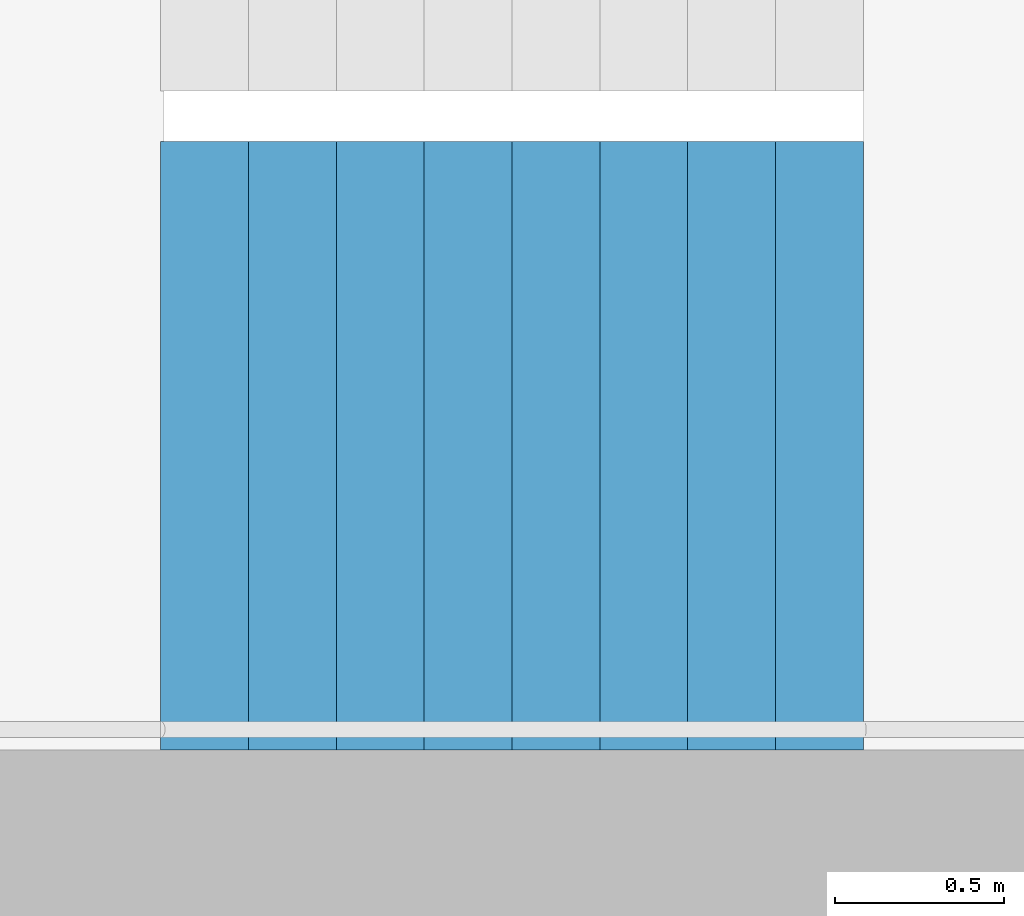
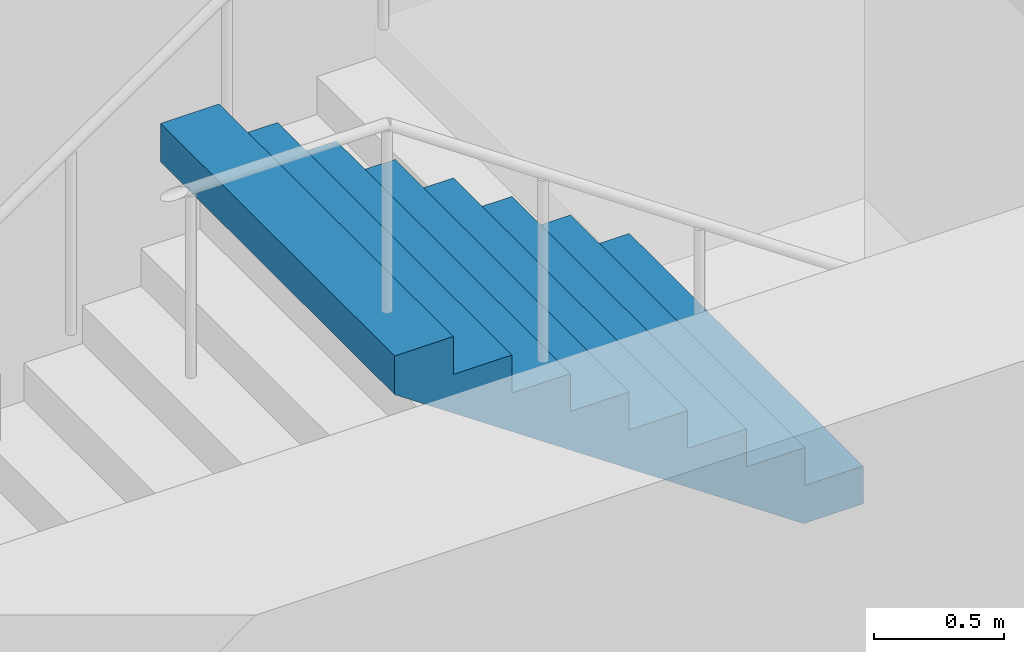
# One storey, part 21 of 29: 1 stair flight, 1 element without a shape of its own.
"""IFC4 building model written with IfcOpenShell, lengths in metres."""

from ifc_helpers import new_model, si_unit, direction, frame, origin, place, context, subcontext, project, spatial, triangles, material, type_object, element, aggregate, save


model = new_model("IFC4")

# Units and contexts
model_context = context("Model", 3, precision=1e-05, world=origin(), true_north=direction((0.0, 1.0)))
body_context = subcontext(model_context, "Body", "Model", "MODEL_VIEW")
ifc_project = project(units=[si_unit("LENGTHUNIT", "METRE"), si_unit("AREAUNIT", "SQUARE_METRE"), si_unit("VOLUMEUNIT", "CUBIC_METRE"), si_unit("PLANEANGLEUNIT", "RADIAN"), si_unit("MASSUNIT", "GRAM", prefix="KILO")], contexts=[model_context])

# Site, building, storey
site_placement = place(None, origin())
site = spatial("IfcSite", under=ifc_project, at=site_placement, CompositionType="ELEMENT")
building_placement = place(site_placement, origin())
building = spatial("IfcBuilding", under=site, at=building_placement, Name="Hakoniwa Tower and Hamabe Station Hall", CompositionType="ELEMENT")
storey_placement = place(building_placement, frame((0.0, 0.0, 258.199951171875)))
storey = spatial("IfcBuildingStorey", under=building, at=storey_placement, Name="L73", CompositionType="ELEMENT", Elevation=258.199951171875)

# Stair, stair flight
ifc_material_1 = material(Name="Concrete C40", Category="concrete")
stair_type = type_object("IfcStairType", Name="ESCAPE STAIR 1800", PredefinedType="HALF_TURN_STAIR", material=ifc_material_1)
stair_placement = place(storey_placement, origin())
stair = element("IfcStair", 1, at=stair_placement, inside=storey, type_object=stair_type, Name="Escape stair ST-4 L73", PredefinedType="HALF_TURN_STAIR")
ifc_material_2 = material(Name="Concrete C40", Category="concrete")
stair_flight_type = type_object("IfcStairFlightType", Name="STAIR FLIGHT 1800", PredefinedType="STRAIGHT", material=ifc_material_2)
stair_flight_placement = place(storey_placement, frame((25.47998046875, -6.60009765625, 1.60009765625), z_axis=(0.0, 0.0, 1.0), x_axis=(-1.0, 0.0, 0.0)))
stair_flight = element("IfcStairFlight", 2, at=stair_flight_placement, type_object=stair_flight_type, Name="ST-4 flight 2", NumberOfRisers=9, NumberOfTreads=8, PredefinedType="STRAIGHT", RiserHeight=0.177777778, TreadLength=0.26, context=body_context, shape_type="Tessellation", body=[
    triangles([(0.0, 0.89990234375, 0.0), (0.260009765625, 0.89990234375, 0.0), (0.265625, 0.89990234375, 0.0), (0.52001953125, 0.89990234375, 0.174072265625), (0.780029296875, 0.89990234375, 0.351806640625), (1.0400390625, 0.89990234375, 0.529541015625), (1.300048828125, 0.89990234375, 0.707275390625), (1.56005859375, 0.89990234375, 0.885009765625), (1.820068359375, 0.89990234375, 1.062744140625), (2.080078125, 0.89990234375, 1.24072265625), (2.080078125, 0.89990234375, 1.422119140625), (1.820068359375, 0.89990234375, 1.422119140625), (1.820068359375, 0.89990234375, 1.244384765625), (1.56005859375, 0.89990234375, 1.244384765625), (1.56005859375, 0.89990234375, 1.066650390625), (1.300048828125, 0.89990234375, 1.066650390625), (1.300048828125, 0.89990234375, 0.888916015625), (1.0400390625, 0.89990234375, 0.888916015625), (1.0400390625, 0.89990234375, 0.711181640625), (0.780029296875, 0.89990234375, 0.711181640625), (0.780029296875, 0.89990234375, 0.533447265625), (0.52001953125, 0.89990234375, 0.533447265625), (0.52001953125, 0.89990234375, 0.35546875), (0.265625, 0.89990234375, 0.35546875), (0.260009765625, 0.89990234375, 0.35546875), (0.260009765625, 0.89990234375, 0.177734375), (0.0, 0.89990234375, 0.177734375), (0.0, 0.06005859375, 0.0), (0.260009765625, 0.06005859375, 0.0), (0.265625, 0.06005859375, 0.0), (0.52001953125, 0.06005859375, 0.174072265625), (0.780029296875, 0.06005859375, 0.351806640625), (1.0400390625, 0.06005859375, 0.529541015625), (1.300048828125, 0.06005859375, 0.707275390625), (1.56005859375, 0.06005859375, 0.885009765625), (1.820068359375, 0.06005859375, 1.062744140625), (2.080078125, 0.06005859375, 1.24072265625), (2.080078125, 0.06005859375, 1.422119140625), (1.820068359375, 0.06005859375, 1.422119140625), (1.820068359375, 0.06005859375, 1.244384765625), (1.56005859375, 0.06005859375, 1.244384765625), (1.56005859375, 0.06005859375, 1.066650390625), (1.300048828125, 0.06005859375, 1.066650390625), (1.300048828125, 0.06005859375, 0.888916015625), (1.0400390625, 0.06005859375, 0.888916015625), (1.0400390625, 0.06005859375, 0.711181640625), (0.780029296875, 0.06005859375, 0.711181640625), (0.780029296875, 0.06005859375, 0.533447265625), (0.52001953125, 0.06005859375, 0.533447265625), (0.52001953125, 0.06005859375, 0.35546875), (0.265625, 0.06005859375, 0.35546875), (0.260009765625, 0.06005859375, 0.35546875), (0.260009765625, 0.06005859375, 0.177734375), (0.0, 0.06005859375, 0.177734375), (0.0, 0.04296875, 0.0), (0.260009765625, 0.04296875, 0.0), (0.265625, 0.04296875, 0.0), (0.52001953125, 0.04296875, 0.174072265625), (0.780029296875, 0.04296875, 0.351806640625), (1.0400390625, 0.04296875, 0.529541015625), (1.300048828125, 0.04296875, 0.707275390625), (1.56005859375, 0.04296875, 0.885009765625), (1.820068359375, 0.04296875, 1.062744140625), (2.080078125, 0.04296875, 1.24072265625), (2.080078125, 0.04296875, 1.422119140625), (1.820068359375, 0.04296875, 1.422119140625), (1.820068359375, 0.04296875, 1.244384765625), (1.56005859375, 0.04296875, 1.244384765625), (1.56005859375, 0.04296875, 1.066650390625), (1.300048828125, 0.04296875, 1.066650390625), (1.300048828125, 0.04296875, 0.888916015625), (1.0400390625, 0.04296875, 0.888916015625), (1.0400390625, 0.04296875, 0.711181640625), (0.780029296875, 0.04296875, 0.711181640625), (0.780029296875, 0.04296875, 0.533447265625), (0.52001953125, 0.04296875, 0.533447265625), (0.52001953125, 0.04296875, 0.35546875), (0.265625, 0.04296875, 0.35546875), (0.260009765625, 0.04296875, 0.35546875), (0.260009765625, 0.04296875, 0.177734375), (0.0, 0.04296875, 0.177734375), (0.0, 0.025634765625, 0.0), (0.260009765625, 0.025634765625, 0.0), (0.265625, 0.025634765625, 0.0), (0.52001953125, 0.025634765625, 0.174072265625), (0.780029296875, 0.025634765625, 0.351806640625), (1.0400390625, 0.025634765625, 0.529541015625), (1.300048828125, 0.025634765625, 0.707275390625), (1.56005859375, 0.025634765625, 0.885009765625), (1.820068359375, 0.025634765625, 1.062744140625), (2.080078125, 0.025634765625, 1.24072265625), (2.080078125, 0.025634765625, 1.422119140625), (1.820068359375, 0.025634765625, 1.422119140625), (1.820068359375, 0.025634765625, 1.244384765625), (1.56005859375, 0.025634765625, 1.244384765625), (1.56005859375, 0.025634765625, 1.066650390625), (1.300048828125, 0.025634765625, 1.066650390625), (1.300048828125, 0.025634765625, 0.888916015625), (1.0400390625, 0.025634765625, 0.888916015625), (1.0400390625, 0.025634765625, 0.711181640625), (0.780029296875, 0.025634765625, 0.711181640625), (0.780029296875, 0.025634765625, 0.533447265625), (0.52001953125, 0.025634765625, 0.533447265625), (0.52001953125, 0.025634765625, 0.35546875), (0.265625, 0.025634765625, 0.35546875), (0.260009765625, 0.025634765625, 0.35546875), (0.260009765625, 0.025634765625, 0.177734375), (0.0, 0.025634765625, 0.177734375), (0.0, 0.008544921875, 0.0), (0.260009765625, 0.008544921875, 0.0), (0.265625, 0.008544921875, 0.0), (0.52001953125, 0.008544921875, 0.174072265625), (0.780029296875, 0.008544921875, 0.351806640625), (1.0400390625, 0.008544921875, 0.529541015625), (1.300048828125, 0.008544921875, 0.707275390625), (1.56005859375, 0.008544921875, 0.885009765625), (1.820068359375, 0.008544921875, 1.062744140625), (2.080078125, 0.008544921875, 1.24072265625), (2.080078125, 0.008544921875, 1.422119140625), (1.820068359375, 0.008544921875, 1.422119140625), (1.820068359375, 0.008544921875, 1.244384765625), (1.56005859375, 0.008544921875, 1.244384765625), (1.56005859375, 0.008544921875, 1.066650390625), (1.300048828125, 0.008544921875, 1.066650390625), (1.300048828125, 0.008544921875, 0.888916015625), (1.0400390625, 0.008544921875, 0.888916015625), (1.0400390625, 0.008544921875, 0.711181640625), (0.780029296875, 0.008544921875, 0.711181640625), (0.780029296875, 0.008544921875, 0.533447265625), (0.52001953125, 0.008544921875, 0.533447265625), (0.52001953125, 0.008544921875, 0.35546875), (0.265625, 0.008544921875, 0.35546875), (0.260009765625, 0.008544921875, 0.35546875), (0.260009765625, 0.008544921875, 0.177734375), (0.0, 0.008544921875, 0.177734375), (0.0, -0.008544921875, 0.0), (0.260009765625, -0.008544921875, 0.0), (0.265625, -0.008544921875, 0.0), (0.52001953125, -0.008544921875, 0.174072265625), (0.780029296875, -0.008544921875, 0.351806640625), (1.0400390625, -0.008544921875, 0.529541015625), (1.300048828125, -0.008544921875, 0.707275390625), (1.56005859375, -0.008544921875, 0.885009765625), (1.820068359375, -0.008544921875, 1.062744140625), (2.080078125, -0.008544921875, 1.24072265625), (2.080078125, -0.008544921875, 1.422119140625), (1.820068359375, -0.008544921875, 1.422119140625), (1.820068359375, -0.008544921875, 1.244384765625), (1.56005859375, -0.008544921875, 1.244384765625), (1.56005859375, -0.008544921875, 1.066650390625), (1.300048828125, -0.008544921875, 1.066650390625), (1.300048828125, -0.008544921875, 0.888916015625), (1.0400390625, -0.008544921875, 0.888916015625), (1.0400390625, -0.008544921875, 0.711181640625), (0.780029296875, -0.008544921875, 0.711181640625), (0.780029296875, -0.008544921875, 0.533447265625), (0.52001953125, -0.008544921875, 0.533447265625), (0.52001953125, -0.008544921875, 0.35546875), (0.265625, -0.008544921875, 0.35546875), (0.260009765625, -0.008544921875, 0.35546875), (0.260009765625, -0.008544921875, 0.177734375), (0.0, -0.008544921875, 0.177734375), (0.0, -0.025634765625, 0.0), (0.260009765625, -0.025634765625, 0.0), (0.265625, -0.025634765625, 0.0), (0.52001953125, -0.025634765625, 0.174072265625), (0.780029296875, -0.025634765625, 0.351806640625), (1.0400390625, -0.025634765625, 0.529541015625), (1.300048828125, -0.025634765625, 0.707275390625), (1.56005859375, -0.025634765625, 0.885009765625), (1.820068359375, -0.025634765625, 1.062744140625), (2.080078125, -0.025634765625, 1.24072265625), (2.080078125, -0.025634765625, 1.422119140625), (1.820068359375, -0.025634765625, 1.422119140625), (1.820068359375, -0.025634765625, 1.244384765625), (1.56005859375, -0.025634765625, 1.244384765625), (1.56005859375, -0.025634765625, 1.066650390625), (1.300048828125, -0.025634765625, 1.066650390625), (1.300048828125, -0.025634765625, 0.888916015625), (1.0400390625, -0.025634765625, 0.888916015625), (1.0400390625, -0.025634765625, 0.711181640625), (0.780029296875, -0.025634765625, 0.711181640625), (0.780029296875, -0.025634765625, 0.533447265625), (0.52001953125, -0.025634765625, 0.533447265625), (0.52001953125, -0.025634765625, 0.35546875), (0.265625, -0.025634765625, 0.35546875), (0.260009765625, -0.025634765625, 0.35546875), (0.260009765625, -0.025634765625, 0.177734375), (0.0, -0.025634765625, 0.177734375), (0.0, -0.04296875, 0.0), (0.260009765625, -0.04296875, 0.0), (0.265625, -0.04296875, 0.0), (0.52001953125, -0.04296875, 0.174072265625), (0.780029296875, -0.04296875, 0.351806640625), (1.0400390625, -0.04296875, 0.529541015625), (1.300048828125, -0.04296875, 0.707275390625), (1.56005859375, -0.04296875, 0.885009765625), (1.820068359375, -0.04296875, 1.062744140625), (2.080078125, -0.04296875, 1.24072265625), (2.080078125, -0.04296875, 1.422119140625), (1.820068359375, -0.04296875, 1.422119140625), (1.820068359375, -0.04296875, 1.244384765625), (1.56005859375, -0.04296875, 1.244384765625), (1.56005859375, -0.04296875, 1.066650390625), (1.300048828125, -0.04296875, 1.066650390625), (1.300048828125, -0.04296875, 0.888916015625), (1.0400390625, -0.04296875, 0.888916015625), (1.0400390625, -0.04296875, 0.711181640625), (0.780029296875, -0.04296875, 0.711181640625), (0.780029296875, -0.04296875, 0.533447265625), (0.52001953125, -0.04296875, 0.533447265625), (0.52001953125, -0.04296875, 0.35546875), (0.265625, -0.04296875, 0.35546875), (0.260009765625, -0.04296875, 0.35546875), (0.260009765625, -0.04296875, 0.177734375), (0.0, -0.04296875, 0.177734375), (0.0, -0.06005859375, 0.0), (0.260009765625, -0.06005859375, 0.0), (0.265625, -0.06005859375, 0.0), (0.52001953125, -0.06005859375, 0.174072265625), (0.780029296875, -0.06005859375, 0.351806640625), (1.0400390625, -0.06005859375, 0.529541015625), (1.300048828125, -0.06005859375, 0.707275390625), (1.56005859375, -0.06005859375, 0.885009765625), (1.820068359375, -0.06005859375, 1.062744140625), (2.080078125, -0.06005859375, 1.24072265625), (2.080078125, -0.06005859375, 1.422119140625), (1.820068359375, -0.06005859375, 1.422119140625), (1.820068359375, -0.06005859375, 1.244384765625), (1.56005859375, -0.06005859375, 1.244384765625), (1.56005859375, -0.06005859375, 1.066650390625), (1.300048828125, -0.06005859375, 1.066650390625), (1.300048828125, -0.06005859375, 0.888916015625), (1.0400390625, -0.06005859375, 0.888916015625), (1.0400390625, -0.06005859375, 0.711181640625), (0.780029296875, -0.06005859375, 0.711181640625), (0.780029296875, -0.06005859375, 0.533447265625), (0.52001953125, -0.06005859375, 0.533447265625), (0.52001953125, -0.06005859375, 0.35546875), (0.265625, -0.06005859375, 0.35546875), (0.260009765625, -0.06005859375, 0.35546875), (0.260009765625, -0.06005859375, 0.177734375), (0.0, -0.06005859375, 0.177734375), (0.0, -0.89990234375, 0.0), (0.260009765625, -0.89990234375, 0.0), (0.265625, -0.89990234375, 0.0), (0.52001953125, -0.89990234375, 0.174072265625), (0.780029296875, -0.89990234375, 0.351806640625), (1.0400390625, -0.89990234375, 0.529541015625), (1.300048828125, -0.89990234375, 0.707275390625), (1.56005859375, -0.89990234375, 0.885009765625), (1.820068359375, -0.89990234375, 1.062744140625), (2.080078125, -0.89990234375, 1.24072265625), (2.080078125, -0.89990234375, 1.422119140625), (1.820068359375, -0.89990234375, 1.422119140625), (1.820068359375, -0.89990234375, 1.244384765625), (1.56005859375, -0.89990234375, 1.244384765625), (1.56005859375, -0.89990234375, 1.066650390625), (1.300048828125, -0.89990234375, 1.066650390625), (1.300048828125, -0.89990234375, 0.888916015625), (1.0400390625, -0.89990234375, 0.888916015625), (1.0400390625, -0.89990234375, 0.711181640625), (0.780029296875, -0.89990234375, 0.711181640625), (0.780029296875, -0.89990234375, 0.533447265625), (0.52001953125, -0.89990234375, 0.533447265625), (0.52001953125, -0.89990234375, 0.35546875), (0.265625, -0.89990234375, 0.35546875), (0.260009765625, -0.89990234375, 0.35546875), (0.260009765625, -0.89990234375, 0.177734375), (0.0, -0.89990234375, 0.177734375)], [[2, 27, 26], [245, 269, 270], [2, 1, 27], [245, 270, 244], [3, 25, 24], [246, 267, 268], [3, 26, 25], [246, 268, 269], [3, 2, 26], [246, 269, 245], [4, 24, 23], [247, 266, 267], [4, 3, 24], [247, 267, 246], [5, 22, 21], [248, 264, 265], [5, 23, 22], [248, 265, 266], [5, 4, 23], [248, 266, 247], [6, 20, 19], [249, 262, 263], [6, 21, 20], [249, 263, 264], [6, 5, 21], [249, 264, 248], [7, 18, 17], [250, 260, 261], [7, 19, 18], [250, 261, 262], [7, 6, 19], [250, 262, 249], [8, 16, 15], [251, 258, 259], [8, 17, 16], [251, 259, 260], [8, 7, 17], [251, 260, 250], [9, 14, 13], [252, 256, 257], [9, 15, 14], [252, 257, 258], [9, 8, 15], [252, 258, 251], [10, 12, 11], [253, 254, 255], [10, 13, 12], [253, 255, 256], [10, 9, 13], [253, 256, 252], [1, 2, 29], [1, 29, 28], [28, 29, 56], [28, 56, 55], [55, 56, 83], [55, 83, 82], [82, 83, 110], [82, 110, 109], [109, 110, 137], [109, 137, 136], [136, 137, 164], [136, 164, 163], [163, 164, 191], [163, 191, 190], [190, 191, 218], [190, 218, 217], [217, 218, 245], [217, 245, 244], [2, 3, 30], [2, 30, 29], [29, 30, 57], [29, 57, 56], [56, 57, 84], [56, 84, 83], [83, 84, 111], [83, 111, 110], [110, 111, 138], [110, 138, 137], [137, 138, 165], [137, 165, 164], [164, 165, 192], [164, 192, 191], [191, 192, 219], [191, 219, 218], [218, 219, 246], [218, 246, 245], [3, 4, 31], [3, 31, 30], [30, 31, 58], [30, 58, 57], [57, 58, 85], [57, 85, 84], [84, 85, 112], [84, 112, 111], [111, 112, 139], [111, 139, 138], [138, 139, 166], [138, 166, 165], [165, 166, 193], [165, 193, 192], [192, 193, 220], [192, 220, 219], [219, 220, 247], [219, 247, 246], [4, 5, 32], [4, 32, 31], [31, 32, 59], [31, 59, 58], [58, 59, 86], [58, 86, 85], [85, 86, 113], [85, 113, 112], [112, 113, 140], [112, 140, 139], [139, 140, 167], [139, 167, 166], [166, 167, 194], [166, 194, 193], [193, 194, 221], [193, 221, 220], [220, 221, 248], [220, 248, 247], [5, 6, 33], [5, 33, 32], [32, 33, 60], [32, 60, 59], [59, 60, 87], [59, 87, 86], [86, 87, 114], [86, 114, 113], [113, 114, 141], [113, 141, 140], [140, 141, 168], [140, 168, 167], [167, 168, 195], [167, 195, 194], [194, 195, 222], [194, 222, 221], [221, 222, 249], [221, 249, 248], [6, 7, 34], [6, 34, 33], [33, 34, 61], [33, 61, 60], [60, 61, 88], [60, 88, 87], [87, 88, 115], [87, 115, 114], [114, 115, 142], [114, 142, 141], [141, 142, 169], [141, 169, 168], [168, 169, 196], [168, 196, 195], [195, 196, 223], [195, 223, 222], [222, 223, 250], [222, 250, 249], [7, 8, 35], [7, 35, 34], [34, 35, 62], [34, 62, 61], [61, 62, 89], [61, 89, 88], [88, 89, 116], [88, 116, 115], [115, 116, 143], [115, 143, 142], [142, 143, 170], [142, 170, 169], [169, 170, 197], [169, 197, 196], [196, 197, 224], [196, 224, 223], [223, 224, 251], [223, 251, 250], [8, 9, 36], [8, 36, 35], [35, 36, 63], [35, 63, 62], [62, 63, 90], [62, 90, 89], [89, 90, 117], [89, 117, 116], [116, 117, 144], [116, 144, 143], [143, 144, 171], [143, 171, 170], [170, 171, 198], [170, 198, 197], [197, 198, 225], [197, 225, 224], [224, 225, 252], [224, 252, 251], [9, 10, 37], [9, 37, 36], [36, 37, 64], [36, 64, 63], [63, 64, 91], [63, 91, 90], [90, 91, 118], [90, 118, 117], [117, 118, 145], [117, 145, 144], [144, 145, 172], [144, 172, 171], [171, 172, 199], [171, 199, 198], [198, 199, 226], [198, 226, 225], [225, 226, 253], [225, 253, 252], [10, 11, 38], [10, 38, 37], [37, 38, 65], [37, 65, 64], [64, 65, 92], [64, 92, 91], [91, 92, 119], [91, 119, 118], [118, 119, 146], [118, 146, 145], [145, 146, 173], [145, 173, 172], [172, 173, 200], [172, 200, 199], [199, 200, 227], [199, 227, 226], [226, 227, 254], [226, 254, 253], [11, 12, 39], [11, 39, 38], [38, 39, 66], [38, 66, 65], [65, 66, 93], [65, 93, 92], [92, 93, 120], [92, 120, 119], [119, 120, 147], [119, 147, 146], [146, 147, 174], [146, 174, 173], [173, 174, 201], [173, 201, 200], [200, 201, 228], [200, 228, 227], [227, 228, 255], [227, 255, 254], [12, 13, 40], [12, 40, 39], [39, 40, 67], [39, 67, 66], [66, 67, 94], [66, 94, 93], [93, 94, 121], [93, 121, 120], [120, 121, 148], [120, 148, 147], [147, 148, 175], [147, 175, 174], [174, 175, 202], [174, 202, 201], [201, 202, 229], [201, 229, 228], [228, 229, 256], [228, 256, 255], [13, 14, 41], [13, 41, 40], [40, 41, 68], [40, 68, 67], [67, 68, 95], [67, 95, 94], [94, 95, 122], [94, 122, 121], [121, 122, 149], [121, 149, 148], [148, 149, 176], [148, 176, 175], [175, 176, 203], [175, 203, 202], [202, 203, 230], [202, 230, 229], [229, 230, 257], [229, 257, 256], [14, 15, 42], [14, 42, 41], [41, 42, 69], [41, 69, 68], [68, 69, 96], [68, 96, 95], [95, 96, 123], [95, 123, 122], [122, 123, 150], [122, 150, 149], [149, 150, 177], [149, 177, 176], [176, 177, 204], [176, 204, 203], [203, 204, 231], [203, 231, 230], [230, 231, 258], [230, 258, 257], [15, 16, 43], [15, 43, 42], [42, 43, 70], [42, 70, 69], [69, 70, 97], [69, 97, 96], [96, 97, 124], [96, 124, 123], [123, 124, 151], [123, 151, 150], [150, 151, 178], [150, 178, 177], [177, 178, 205], [177, 205, 204], [204, 205, 232], [204, 232, 231], [231, 232, 259], [231, 259, 258], [16, 17, 44], [16, 44, 43], [43, 44, 71], [43, 71, 70], [70, 71, 98], [70, 98, 97], [97, 98, 125], [97, 125, 124], [124, 125, 152], [124, 152, 151], [151, 152, 179], [151, 179, 178], [178, 179, 206], [178, 206, 205], [205, 206, 233], [205, 233, 232], [232, 233, 260], [232, 260, 259], [17, 18, 45], [17, 45, 44], [44, 45, 72], [44, 72, 71], [71, 72, 99], [71, 99, 98], [98, 99, 126], [98, 126, 125], [125, 126, 153], [125, 153, 152], [152, 153, 180], [152, 180, 179], [179, 180, 207], [179, 207, 206], [206, 207, 234], [206, 234, 233], [233, 234, 261], [233, 261, 260], [18, 19, 46], [18, 46, 45], [45, 46, 73], [45, 73, 72], [72, 73, 100], [72, 100, 99], [99, 100, 127], [99, 127, 126], [126, 127, 154], [126, 154, 153], [153, 154, 181], [153, 181, 180], [180, 181, 208], [180, 208, 207], [207, 208, 235], [207, 235, 234], [234, 235, 262], [234, 262, 261], [19, 20, 47], [19, 47, 46], [46, 47, 74], [46, 74, 73], [73, 74, 101], [73, 101, 100], [100, 101, 128], [100, 128, 127], [127, 128, 155], [127, 155, 154], [154, 155, 182], [154, 182, 181], [181, 182, 209], [181, 209, 208], [208, 209, 236], [208, 236, 235], [235, 236, 263], [235, 263, 262], [20, 21, 48], [20, 48, 47], [47, 48, 75], [47, 75, 74], [74, 75, 102], [74, 102, 101], [101, 102, 129], [101, 129, 128], [128, 129, 156], [128, 156, 155], [155, 156, 183], [155, 183, 182], [182, 183, 210], [182, 210, 209], [209, 210, 237], [209, 237, 236], [236, 237, 264], [236, 264, 263], [21, 22, 49], [21, 49, 48], [48, 49, 76], [48, 76, 75], [75, 76, 103], [75, 103, 102], [102, 103, 130], [102, 130, 129], [129, 130, 157], [129, 157, 156], [156, 157, 184], [156, 184, 183], [183, 184, 211], [183, 211, 210], [210, 211, 238], [210, 238, 237], [237, 238, 265], [237, 265, 264], [22, 23, 50], [22, 50, 49], [49, 50, 77], [49, 77, 76], [76, 77, 104], [76, 104, 103], [103, 104, 131], [103, 131, 130], [130, 131, 158], [130, 158, 157], [157, 158, 185], [157, 185, 184], [184, 185, 212], [184, 212, 211], [211, 212, 239], [211, 239, 238], [238, 239, 266], [238, 266, 265], [23, 24, 51], [23, 51, 50], [50, 51, 78], [50, 78, 77], [77, 78, 105], [77, 105, 104], [104, 105, 132], [104, 132, 131], [131, 132, 159], [131, 159, 158], [158, 159, 186], [158, 186, 185], [185, 186, 213], [185, 213, 212], [212, 213, 240], [212, 240, 239], [239, 240, 267], [239, 267, 266], [24, 25, 52], [24, 52, 51], [51, 52, 79], [51, 79, 78], [78, 79, 106], [78, 106, 105], [105, 106, 133], [105, 133, 132], [132, 133, 160], [132, 160, 159], [159, 160, 187], [159, 187, 186], [186, 187, 214], [186, 214, 213], [213, 214, 241], [213, 241, 240], [240, 241, 268], [240, 268, 267], [25, 26, 53], [25, 53, 52], [52, 53, 80], [52, 80, 79], [79, 80, 107], [79, 107, 106], [106, 107, 134], [106, 134, 133], [133, 134, 161], [133, 161, 160], [160, 161, 188], [160, 188, 187], [187, 188, 215], [187, 215, 214], [214, 215, 242], [214, 242, 241], [241, 242, 269], [241, 269, 268], [26, 27, 54], [26, 54, 53], [53, 54, 81], [53, 81, 80], [80, 81, 108], [80, 108, 107], [107, 108, 135], [107, 135, 134], [134, 135, 162], [134, 162, 161], [161, 162, 189], [161, 189, 188], [188, 189, 216], [188, 216, 215], [215, 216, 243], [215, 243, 242], [242, 243, 270], [242, 270, 269], [27, 1, 28], [27, 28, 54], [54, 28, 55], [54, 55, 81], [81, 55, 82], [81, 82, 108], [108, 82, 109], [108, 109, 135], [135, 109, 136], [135, 136, 162], [162, 136, 163], [162, 163, 189], [189, 163, 190], [189, 190, 216], [216, 190, 217], [216, 217, 243], [243, 217, 244], [243, 244, 270]], closed=True),
])
aggregate(stair, [stair_flight])

save(model, "model.ifc")
